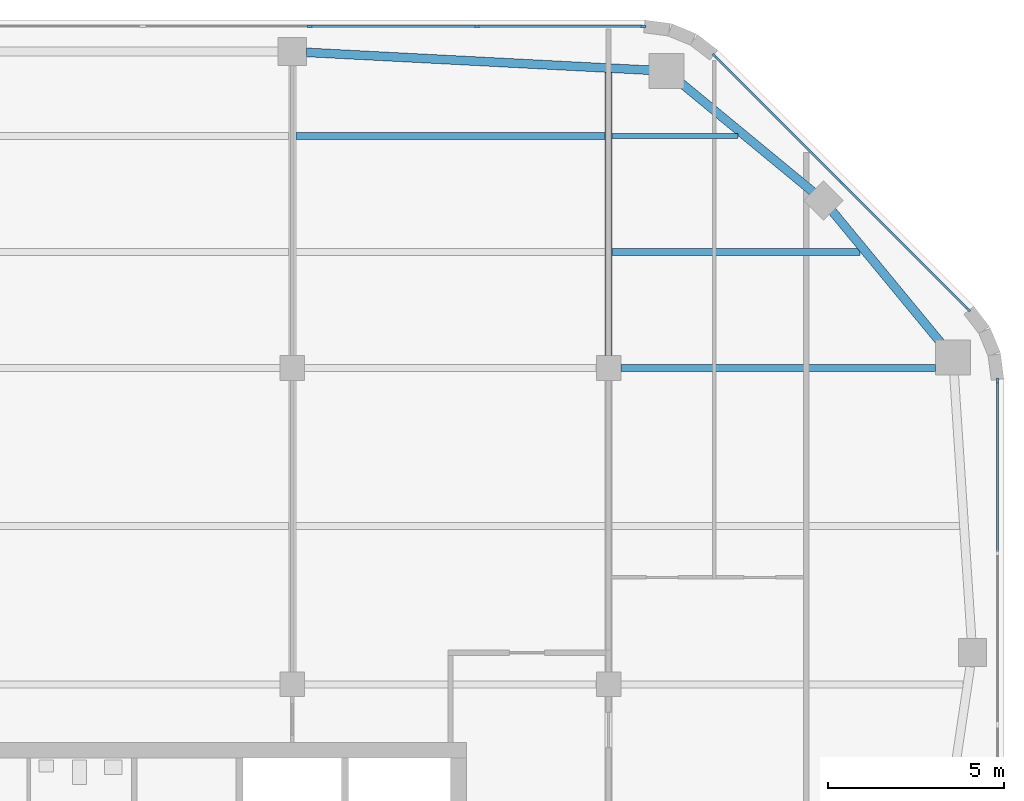
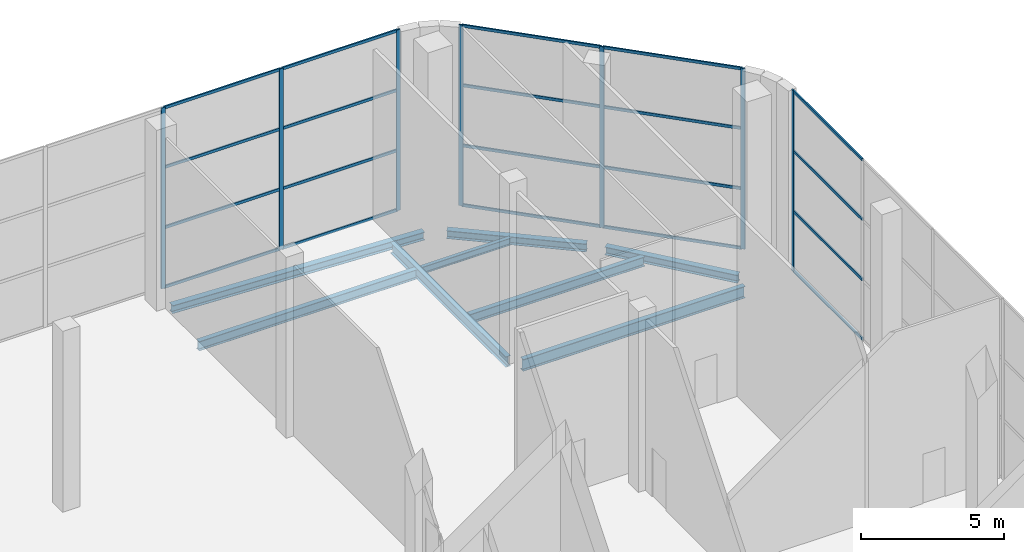
# One storey, part 6 of 12: 27 members, 8 beams, 3 elements without a shape of their own.
"""IFC4 building model written with IfcOpenShell, lengths in metres."""

from ifc_helpers import new_model, si_unit, direction, frame, origin, origin_2d, place, context, subcontext, project, spatial, rectangle, i_section, extrude, material, material_profile, profile_set, type_object, element, aggregate, save


model = new_model("IFC4")

# Units and contexts
model_context = context("Model", 3, precision=1e-05, world=origin(), true_north=direction((0.0, 1.0)))
body_context = subcontext(model_context, "Body", "Model", "MODEL_VIEW")
ifc_project = project(units=[si_unit("LENGTHUNIT", "METRE"), si_unit("AREAUNIT", "SQUARE_METRE"), si_unit("VOLUMEUNIT", "CUBIC_METRE"), si_unit("PLANEANGLEUNIT", "RADIAN"), si_unit("MASSUNIT", "GRAM", prefix="KILO")], contexts=[model_context])

# Site, building, storey
site_placement = place(None, origin())
site = spatial("IfcSite", under=ifc_project, at=site_placement, CompositionType="ELEMENT")
building_placement = place(site_placement, origin())
building = spatial("IfcBuilding", under=site, at=building_placement, Name="Cinnabar Reach Civic Tower", CompositionType="ELEMENT")
storey_placement = place(building_placement, frame((0.0, 0.0, 283.0)))
storey = spatial("IfcBuildingStorey", under=building, at=storey_placement, Name="L68", CompositionType="ELEMENT", Elevation=283.0)

# Beams
ifc_material_1 = material(Name="Steel Q355B", Category="steel")
ifc_material_profile_1 = material_profile(ifc_material_1, i_section(OverallWidth=0.25, OverallDepth=0.34, WebThickness=0.009, FlangeThickness=0.014, FilletRadius=0.013, at=origin_2d()), Name="HM340x250x9x14")
ifc_profile_set_1 = profile_set([ifc_material_profile_1], Name="Steel Q355B")
beam_type_1 = type_object("IfcBeamType", Name="HM340x250x9x14 beam R 180", PredefinedType="BEAM", material=ifc_profile_set_1)
for number, where, z_axis, x_axis, name in (
    (1, (36.4818, 53.7801, -0.37), (-0.636303312762, 0.771438976309, 0.0), (-0.771438976309, -0.636303312762, 0.0), "Edge beam T1 L68 9"),
    (2, (32.8486, 58.0822, -0.37), (-0.771438976309, 0.636303312762, 0.0), (-0.636303312762, -0.771438976309, 0.0), "Edge beam T1 L68 10"),
):
    element("IfcBeam", number, at=place(storey_placement, frame(where, z_axis=z_axis, x_axis=x_axis)), inside=storey, type_object=beam_type_1, Name=name, PredefinedType="BEAM", context=body_context, shape_type="SweptSolid", body=[
        extrude(i_section(OverallWidth=0.25, OverallDepth=0.34, WebThickness=0.009, FlangeThickness=0.014, FilletRadius=0.013, at=origin_2d()), origin(), (0.0, 0.0, 1.0), 4.9498),
    ])
beam_1_placement = place(storey_placement, frame((28.2661, 61.5667, -0.37), z_axis=(-0.998653533726, 0.051876001934, 0.0), x_axis=(-0.051876001934, -0.998653533726, 0.0)))
element("IfcBeam", 3, at=beam_1_placement, inside=storey, type_object=beam_type_1, Name="Edge beam T1 L68 11", PredefinedType="BEAM", context=body_context, shape_type="SweptSolid", body=[
    extrude(i_section(OverallWidth=0.25, OverallDepth=0.34, WebThickness=0.009, FlangeThickness=0.014, FilletRadius=0.013, at=origin_2d()), origin(), (0.0, 0.0, 1.0), 9.8774),
])
ifc_material_profile_2 = material_profile(ifc_material_1, i_section(OverallWidth=0.15, OverallDepth=0.3, WebThickness=0.0065, FlangeThickness=0.009, FilletRadius=0.013, at=origin_2d()), Name="HN300x150x6.5x9")
ifc_profile_set_2 = profile_set([ifc_material_profile_2], Name="Steel Q355B")
beam_type_2 = type_object("IfcBeamType", Name="HN300x150x6.5x9 beam R 180", PredefinedType="BEAM", material=ifc_profile_set_2)
beam_2_placement = place(storey_placement, frame((27.102, 59.7, -0.35), z_axis=(1.0, 0.0, 0.0), x_axis=(0.0, 1.0, 0.0)))
element("IfcBeam", 4, at=beam_2_placement, inside=storey, type_object=beam_type_2, Name="Secondary beam T1 L68 19", PredefinedType="BEAM", context=body_context, shape_type="SweptSolid", body=[
    extrude(i_section(OverallWidth=0.15, OverallDepth=0.3, WebThickness=0.0065, FlangeThickness=0.009, FilletRadius=0.013, at=origin_2d()), origin(), (0.0, 0.0, 1.0), 3.5856),
])
ifc_material_profile_3 = material_profile(ifc_material_1, i_section(OverallWidth=0.2, OverallDepth=0.4, WebThickness=0.008, FlangeThickness=0.013, FilletRadius=0.016, at=origin_2d()), Name="HN400x200x8x13")
ifc_profile_set_3 = profile_set([ifc_material_profile_3], Name="Steel Q355B")
beam_type_3 = type_object("IfcBeamType", Name="HN400x200x8x13 beam R 180", PredefinedType="BEAM", material=ifc_profile_set_3)
beam_3_placement = place(storey_placement, frame((27.102, 56.4, -0.4), z_axis=(1.0, 0.0, 0.0), x_axis=(0.0, 1.0, 0.0)))
element("IfcBeam", 5, at=beam_3_placement, inside=storey, type_object=beam_type_3, Name="Secondary beam T1 L68 15", PredefinedType="BEAM", context=body_context, shape_type="SweptSolid", body=[
    extrude(i_section(OverallWidth=0.2, OverallDepth=0.4, WebThickness=0.008, FlangeThickness=0.013, FilletRadius=0.016, at=origin_2d()), origin(), (0.0, 0.0, 1.0), 7.0542),
])
beam_4_placement = place(storey_placement, frame((18.102, 59.7, -0.4), z_axis=(1.0, 0.0, 0.0), x_axis=(0.0, 1.0, 0.0)))
element("IfcBeam", 6, at=beam_4_placement, inside=storey, type_object=beam_type_3, Name="Secondary beam T1 L68 18", PredefinedType="BEAM", context=body_context, shape_type="SweptSolid", body=[
    extrude(i_section(OverallWidth=0.2, OverallDepth=0.4, WebThickness=0.008, FlangeThickness=0.013, FilletRadius=0.016, at=origin_2d()), origin(), (0.0, 0.0, 1.0), 8.796),
])
ifc_material_profile_4 = material_profile(ifc_material_1, i_section(OverallWidth=0.2, OverallDepth=0.45, WebThickness=0.009, FlangeThickness=0.014, FilletRadius=0.016, at=origin_2d()), Name="HN450x200x9x14")
ifc_profile_set_4 = profile_set([ifc_material_profile_4], Name="Steel Q355B")
beam_type_4 = type_object("IfcBeamType", Name="HN450x200x9x14 beam R 180", PredefinedType="BEAM", material=ifc_profile_set_4)
beam_5_placement = place(storey_placement, frame((27.0, 53.452, -0.425), z_axis=(0.0, 1.0, 0.0), x_axis=(-1.0, 0.0, 0.0)))
element("IfcBeam", 7, at=beam_5_placement, inside=storey, type_object=beam_type_4, Name="Girder T1 L68 13", PredefinedType="BEAM", context=body_context, shape_type="SweptSolid", body=[
    extrude(i_section(OverallWidth=0.2, OverallDepth=0.45, WebThickness=0.009, FlangeThickness=0.014, FilletRadius=0.016, at=origin_2d()), origin(), (0.0, 0.0, 1.0), 8.0533),
])
ifc_material_profile_5 = material_profile(ifc_material_1, i_section(OverallWidth=0.2, OverallDepth=0.5, WebThickness=0.01, FlangeThickness=0.016, FilletRadius=0.016, at=origin_2d()), Name="HN500x200x10x16")
ifc_profile_set_5 = profile_set([ifc_material_profile_5], Name="Steel Q355B")
beam_type_5 = type_object("IfcBeamType", Name="HN500x200x10x16 beam R 180", PredefinedType="BEAM", material=ifc_profile_set_5)
beam_6_placement = place(storey_placement, frame((27.352, 53.1, -0.45), z_axis=(1.0, 0.0, 0.0), x_axis=(0.0, 1.0, 0.0)))
element("IfcBeam", 8, at=beam_6_placement, inside=storey, type_object=beam_type_5, Name="Girder T1 L68 12", PredefinedType="BEAM", context=body_context, shape_type="SweptSolid", body=[
    extrude(i_section(OverallWidth=0.2, OverallDepth=0.5, WebThickness=0.01, FlangeThickness=0.016, FilletRadius=0.016, at=origin_2d()), origin(), (0.0, 0.0, 1.0), 8.9429),
])

# Curtain wall, member
ifc_material_2 = material(Name="Aluminium and clear double glazing", Category="aluminium")
curtain_wall_type = type_object("IfcCurtainWallType", Name="Observation deck curtain wall", PredefinedType="NOTDEFINED", material=ifc_material_2)
curtain_wall_1_placement = place(storey_placement, origin())
curtain_wall_1 = element("IfcCurtainWall", 9, at=curtain_wall_1_placement, inside=storey, type_object=curtain_wall_type, Name="Observation deck 3", PredefinedType="NOTDEFINED")
ifc_material_3 = material(Name="Aluminium", Category="aluminium")
ifc_material_profile_6 = material_profile(ifc_material_3, rectangle(XDim=0.06, YDim=0.16, at=origin_2d()), Name="Observation deck mullion")
ifc_profile_set_6 = profile_set([ifc_material_profile_6], Name="Aluminium")
member_type_1 = type_object("IfcMemberType", Name="Observation deck mullion", PredefinedType="MULLION", material=ifc_profile_set_6)
member_1_placement = place(storey_placement, frame((38.07, 52.7274, 0.0), z_axis=(0.0, 0.0, 1.0), x_axis=(-1.0, 0.0, 0.0)))
member_1 = element("IfcMember", 10, at=member_1_placement, type_object=member_type_1, Name="CW-T1OBS-3 mullion 6", PredefinedType="MULLION", context=body_context, shape_type="SweptSolid", body=[
    extrude(rectangle(XDim=0.06, YDim=0.16, at=origin_2d()), origin(), (0.0, 0.0, 1.0), 7.7),
])

# Curtain wall, members
curtain_wall_2_placement = place(storey_placement, origin())
curtain_wall_2 = element("IfcCurtainWall", 11, at=curtain_wall_2_placement, inside=storey, type_object=curtain_wall_type, Name="Observation deck 4", PredefinedType="NOTDEFINED")
member_2_placement = place(storey_placement, frame((37.2228, 54.7726, 0.0), z_axis=(0.0, 0.0, 1.0), x_axis=(-0.707106781187, -0.707106781187, 0.0)))
member_2 = element("IfcMember", 12, at=member_2_placement, type_object=member_type_1, Name="CW-T1OBS-4 mullion 1", PredefinedType="MULLION", context=body_context, shape_type="SweptSolid", body=[
    extrude(rectangle(XDim=0.06, YDim=0.16, at=origin_2d()), origin(), (0.0, 0.0, 1.0), 7.7),
])
member_3_placement = place(storey_placement, frame((33.6227, 58.3727, 0.0), z_axis=(0.0, 0.0, 1.0), x_axis=(-0.707106781187, -0.707106781187, 0.0)))
member_3 = element("IfcMember", 13, at=member_3_placement, type_object=member_type_1, Name="CW-T1OBS-4 mullion 2", PredefinedType="MULLION", context=body_context, shape_type="SweptSolid", body=[
    extrude(rectangle(XDim=0.06, YDim=0.16, at=origin_2d()), origin(), (0.0, 0.0, 1.0), 7.7),
])
member_4_placement = place(storey_placement, frame((30.0226, 61.9728, 0.0), z_axis=(0.0, 0.0, 1.0), x_axis=(-0.707106781187, -0.707106781187, 0.0)))
member_4 = element("IfcMember", 14, at=member_4_placement, type_object=member_type_1, Name="CW-T1OBS-4 mullion 3", PredefinedType="MULLION", context=body_context, shape_type="SweptSolid", body=[
    extrude(rectangle(XDim=0.06, YDim=0.16, at=origin_2d()), origin(), (0.0, 0.0, 1.0), 7.7),
])

curtain_wall_3_placement = place(storey_placement, origin())
curtain_wall_3 = element("IfcCurtainWall", 15, at=curtain_wall_3_placement, inside=storey, type_object=curtain_wall_type, Name="Observation deck 5", PredefinedType="NOTDEFINED")
member_5_placement = place(storey_placement, frame((27.9774, 62.82, 0.0), z_axis=(0.0, 0.0, 1.0), x_axis=(0.0, -1.0, 0.0)))
member_5 = element("IfcMember", 16, at=member_5_placement, type_object=member_type_1, Name="CW-T1OBS-5 mullion 1", PredefinedType="MULLION", context=body_context, shape_type="SweptSolid", body=[
    extrude(rectangle(XDim=0.06, YDim=0.16, at=origin_2d()), origin(), (0.0, 0.0, 1.0), 7.7),
])
member_6_placement = place(storey_placement, frame((23.2544, 62.82, 0.0), z_axis=(0.0, 0.0, 1.0), x_axis=(0.0, -1.0, 0.0)))
member_6 = element("IfcMember", 17, at=member_6_placement, type_object=member_type_1, Name="CW-T1OBS-5 mullion 2", PredefinedType="MULLION", context=body_context, shape_type="SweptSolid", body=[
    extrude(rectangle(XDim=0.06, YDim=0.16, at=origin_2d()), origin(), (0.0, 0.0, 1.0), 7.7),
])
member_7_placement = place(storey_placement, frame((18.5015, 62.82, 0.0), z_axis=(0.0, 0.0, 1.0), x_axis=(0.0, -1.0, 0.0)))
member_7 = element("IfcMember", 18, at=member_7_placement, type_object=member_type_1, Name="CW-T1OBS-5 mullion 3", PredefinedType="MULLION", context=body_context, shape_type="SweptSolid", body=[
    extrude(rectangle(XDim=0.06, YDim=0.16, at=origin_2d()), origin(), (0.0, 0.0, 1.0), 7.7),
])

# Member
ifc_material_profile_7 = material_profile(ifc_material_3, rectangle(XDim=0.06, YDim=0.12, at=origin_2d()), Name="Observation deck transom")
ifc_profile_set_7 = profile_set([ifc_material_profile_7], Name="Aluminium")
member_type_2 = type_object("IfcMemberType", Name="Observation deck transom", PredefinedType="USERDEFINED", material=ifc_profile_set_7)
member_8_placement = place(storey_placement, frame((38.07, 47.8844, 0.03), z_axis=(0.0, 1.0, 0.0), x_axis=(-1.0, 0.0, 0.0)))
member_8 = element("IfcMember", 19, at=member_8_placement, type_object=member_type_2, Name="CW-T1OBS-3 transom 5.1", ObjectType="TRANSOM", PredefinedType="USERDEFINED", context=body_context, shape_type="SweptSolid", body=[
    extrude(rectangle(XDim=0.06, YDim=0.12, at=origin_2d()), origin(), (0.0, 0.0, 1.0), 4.813),
])

member_9_placement = place(storey_placement, frame((38.07, 47.8844, 2.5667), z_axis=(0.0, 1.0, 0.0), x_axis=(-1.0, 0.0, 0.0)))
member_9 = element("IfcMember", 20, at=member_9_placement, type_object=member_type_2, Name="CW-T1OBS-3 transom 5.2", ObjectType="TRANSOM", PredefinedType="USERDEFINED", context=body_context, shape_type="SweptSolid", body=[
    extrude(rectangle(XDim=0.06, YDim=0.12, at=origin_2d()), origin(), (0.0, 0.0, 1.0), 4.813),
])

member_10_placement = place(storey_placement, frame((38.07, 47.8844, 5.1333), z_axis=(0.0, 1.0, 0.0), x_axis=(-1.0, 0.0, 0.0)))
member_10 = element("IfcMember", 21, at=member_10_placement, type_object=member_type_2, Name="CW-T1OBS-3 transom 5.3", ObjectType="TRANSOM", PredefinedType="USERDEFINED", context=body_context, shape_type="SweptSolid", body=[
    extrude(rectangle(XDim=0.06, YDim=0.12, at=origin_2d()), origin(), (0.0, 0.0, 1.0), 4.813),
])

member_11_placement = place(storey_placement, frame((38.07, 47.8844, 7.67), z_axis=(0.0, 1.0, 0.0), x_axis=(-1.0, 0.0, 0.0)))
member_11 = element("IfcMember", 22, at=member_11_placement, type_object=member_type_2, Name="CW-T1OBS-3 transom 5.4", ObjectType="TRANSOM", PredefinedType="USERDEFINED", context=body_context, shape_type="SweptSolid", body=[
    extrude(rectangle(XDim=0.06, YDim=0.12, at=origin_2d()), origin(), (0.0, 0.0, 1.0), 4.813),
])

aggregate(curtain_wall_1, [member_1, member_8, member_9, member_10, member_11])

member_12_placement = place(storey_placement, frame((37.2016, 54.7938, 0.03), z_axis=(-0.707106781187, 0.707106781187, 0.0), x_axis=(-0.707106781187, -0.707106781187, 0.0)))
member_12 = element("IfcMember", 23, at=member_12_placement, type_object=member_type_2, Name="CW-T1OBS-4 transom 1.1", ObjectType="TRANSOM", PredefinedType="USERDEFINED", context=body_context, shape_type="SweptSolid", body=[
    extrude(rectangle(XDim=0.06, YDim=0.12, at=origin_2d()), origin(), (0.0, 0.0, 1.0), 5.0313),
])

member_13_placement = place(storey_placement, frame((37.2016, 54.7938, 2.5667), z_axis=(-0.707106781187, 0.707106781187, 0.0), x_axis=(-0.707106781187, -0.707106781187, 0.0)))
member_13 = element("IfcMember", 24, at=member_13_placement, type_object=member_type_2, Name="CW-T1OBS-4 transom 1.2", ObjectType="TRANSOM", PredefinedType="USERDEFINED", context=body_context, shape_type="SweptSolid", body=[
    extrude(rectangle(XDim=0.06, YDim=0.12, at=origin_2d()), origin(), (0.0, 0.0, 1.0), 5.0313),
])

member_14_placement = place(storey_placement, frame((37.2016, 54.7938, 5.1333), z_axis=(-0.707106781187, 0.707106781187, 0.0), x_axis=(-0.707106781187, -0.707106781187, 0.0)))
member_14 = element("IfcMember", 25, at=member_14_placement, type_object=member_type_2, Name="CW-T1OBS-4 transom 1.3", ObjectType="TRANSOM", PredefinedType="USERDEFINED", context=body_context, shape_type="SweptSolid", body=[
    extrude(rectangle(XDim=0.06, YDim=0.12, at=origin_2d()), origin(), (0.0, 0.0, 1.0), 5.0313),
])

member_15_placement = place(storey_placement, frame((37.2016, 54.7938, 7.67), z_axis=(-0.707106781187, 0.707106781187, 0.0), x_axis=(-0.707106781187, -0.707106781187, 0.0)))
member_15 = element("IfcMember", 26, at=member_15_placement, type_object=member_type_2, Name="CW-T1OBS-4 transom 1.4", ObjectType="TRANSOM", PredefinedType="USERDEFINED", context=body_context, shape_type="SweptSolid", body=[
    extrude(rectangle(XDim=0.06, YDim=0.12, at=origin_2d()), origin(), (0.0, 0.0, 1.0), 5.0313),
])

member_16_placement = place(storey_placement, frame((33.6015, 58.3939, 0.03), z_axis=(-0.707106781187, 0.707106781187, 0.0), x_axis=(-0.707106781187, -0.707106781187, 0.0)))
member_16 = element("IfcMember", 27, at=member_16_placement, type_object=member_type_2, Name="CW-T1OBS-4 transom 2.1", ObjectType="TRANSOM", PredefinedType="USERDEFINED", context=body_context, shape_type="SweptSolid", body=[
    extrude(rectangle(XDim=0.06, YDim=0.12, at=origin_2d()), origin(), (0.0, 0.0, 1.0), 5.0313),
])

member_17_placement = place(storey_placement, frame((33.6015, 58.3939, 2.5667), z_axis=(-0.707106781187, 0.707106781187, 0.0), x_axis=(-0.707106781187, -0.707106781187, 0.0)))
member_17 = element("IfcMember", 28, at=member_17_placement, type_object=member_type_2, Name="CW-T1OBS-4 transom 2.2", ObjectType="TRANSOM", PredefinedType="USERDEFINED", context=body_context, shape_type="SweptSolid", body=[
    extrude(rectangle(XDim=0.06, YDim=0.12, at=origin_2d()), origin(), (0.0, 0.0, 1.0), 5.0313),
])

member_18_placement = place(storey_placement, frame((33.6015, 58.3939, 5.1333), z_axis=(-0.707106781187, 0.707106781187, 0.0), x_axis=(-0.707106781187, -0.707106781187, 0.0)))
member_18 = element("IfcMember", 29, at=member_18_placement, type_object=member_type_2, Name="CW-T1OBS-4 transom 2.3", ObjectType="TRANSOM", PredefinedType="USERDEFINED", context=body_context, shape_type="SweptSolid", body=[
    extrude(rectangle(XDim=0.06, YDim=0.12, at=origin_2d()), origin(), (0.0, 0.0, 1.0), 5.0313),
])

member_19_placement = place(storey_placement, frame((33.6015, 58.3939, 7.67), z_axis=(-0.707106781187, 0.707106781187, 0.0), x_axis=(-0.707106781187, -0.707106781187, 0.0)))
member_19 = element("IfcMember", 30, at=member_19_placement, type_object=member_type_2, Name="CW-T1OBS-4 transom 2.4", ObjectType="TRANSOM", PredefinedType="USERDEFINED", context=body_context, shape_type="SweptSolid", body=[
    extrude(rectangle(XDim=0.06, YDim=0.12, at=origin_2d()), origin(), (0.0, 0.0, 1.0), 5.0313),
])

aggregate(curtain_wall_2, [member_2, member_3, member_4, member_12, member_13, member_14, member_15, member_16, member_17, member_18, member_19])

member_20_placement = place(storey_placement, frame((27.9474, 62.82, 0.03), z_axis=(-1.0, 0.0, 0.0), x_axis=(0.0, -1.0, 0.0)))
member_20 = element("IfcMember", 31, at=member_20_placement, type_object=member_type_2, Name="CW-T1OBS-5 transom 1.1", ObjectType="TRANSOM", PredefinedType="USERDEFINED", context=body_context, shape_type="SweptSolid", body=[
    extrude(rectangle(XDim=0.06, YDim=0.12, at=origin_2d()), origin(), (0.0, 0.0, 1.0), 4.663),
])

member_21_placement = place(storey_placement, frame((27.9474, 62.82, 2.5667), z_axis=(-1.0, 0.0, 0.0), x_axis=(0.0, -1.0, 0.0)))
member_21 = element("IfcMember", 32, at=member_21_placement, type_object=member_type_2, Name="CW-T1OBS-5 transom 1.2", ObjectType="TRANSOM", PredefinedType="USERDEFINED", context=body_context, shape_type="SweptSolid", body=[
    extrude(rectangle(XDim=0.06, YDim=0.12, at=origin_2d()), origin(), (0.0, 0.0, 1.0), 4.663),
])

member_22_placement = place(storey_placement, frame((27.9474, 62.82, 5.1333), z_axis=(-1.0, 0.0, 0.0), x_axis=(0.0, -1.0, 0.0)))
member_22 = element("IfcMember", 33, at=member_22_placement, type_object=member_type_2, Name="CW-T1OBS-5 transom 1.3", ObjectType="TRANSOM", PredefinedType="USERDEFINED", context=body_context, shape_type="SweptSolid", body=[
    extrude(rectangle(XDim=0.06, YDim=0.12, at=origin_2d()), origin(), (0.0, 0.0, 1.0), 4.663),
])

member_23_placement = place(storey_placement, frame((27.9474, 62.82, 7.67), z_axis=(-1.0, 0.0, 0.0), x_axis=(0.0, -1.0, 0.0)))
member_23 = element("IfcMember", 34, at=member_23_placement, type_object=member_type_2, Name="CW-T1OBS-5 transom 1.4", ObjectType="TRANSOM", PredefinedType="USERDEFINED", context=body_context, shape_type="SweptSolid", body=[
    extrude(rectangle(XDim=0.06, YDim=0.12, at=origin_2d()), origin(), (0.0, 0.0, 1.0), 4.663),
])

member_24_placement = place(storey_placement, frame((23.2244, 62.82, 0.03), z_axis=(-1.0, 0.0, 0.0), x_axis=(0.0, -1.0, 0.0)))
member_24 = element("IfcMember", 35, at=member_24_placement, type_object=member_type_2, Name="CW-T1OBS-5 transom 2.1", ObjectType="TRANSOM", PredefinedType="USERDEFINED", context=body_context, shape_type="SweptSolid", body=[
    extrude(rectangle(XDim=0.06, YDim=0.12, at=origin_2d()), origin(), (0.0, 0.0, 1.0), 4.6929),
])

member_25_placement = place(storey_placement, frame((23.2244, 62.82, 2.5667), z_axis=(-1.0, 0.0, 0.0), x_axis=(0.0, -1.0, 0.0)))
member_25 = element("IfcMember", 36, at=member_25_placement, type_object=member_type_2, Name="CW-T1OBS-5 transom 2.2", ObjectType="TRANSOM", PredefinedType="USERDEFINED", context=body_context, shape_type="SweptSolid", body=[
    extrude(rectangle(XDim=0.06, YDim=0.12, at=origin_2d()), origin(), (0.0, 0.0, 1.0), 4.6929),
])

member_26_placement = place(storey_placement, frame((23.2244, 62.82, 5.1333), z_axis=(-1.0, 0.0, 0.0), x_axis=(0.0, -1.0, 0.0)))
member_26 = element("IfcMember", 37, at=member_26_placement, type_object=member_type_2, Name="CW-T1OBS-5 transom 2.3", ObjectType="TRANSOM", PredefinedType="USERDEFINED", context=body_context, shape_type="SweptSolid", body=[
    extrude(rectangle(XDim=0.06, YDim=0.12, at=origin_2d()), origin(), (0.0, 0.0, 1.0), 4.6929),
])

member_27_placement = place(storey_placement, frame((23.2244, 62.82, 7.67), z_axis=(-1.0, 0.0, 0.0), x_axis=(0.0, -1.0, 0.0)))
member_27 = element("IfcMember", 38, at=member_27_placement, type_object=member_type_2, Name="CW-T1OBS-5 transom 2.4", ObjectType="TRANSOM", PredefinedType="USERDEFINED", context=body_context, shape_type="SweptSolid", body=[
    extrude(rectangle(XDim=0.06, YDim=0.12, at=origin_2d()), origin(), (0.0, 0.0, 1.0), 4.6929),
])

aggregate(curtain_wall_3, [member_5, member_6, member_7, member_20, member_21, member_22, member_23, member_24, member_25, member_26, member_27])

save(model, "model.ifc")
